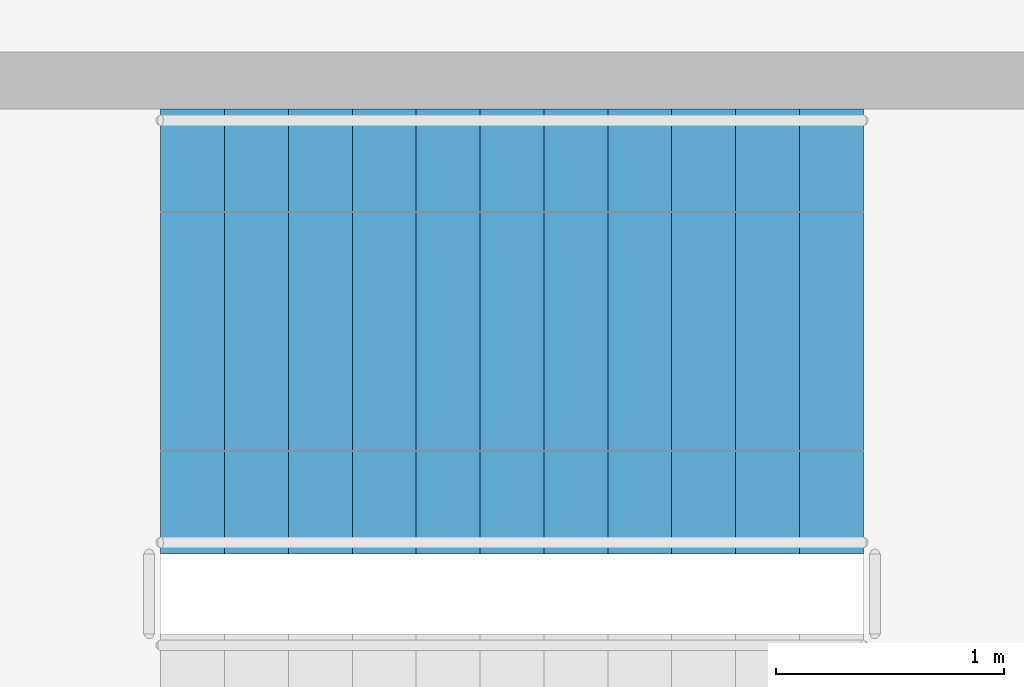
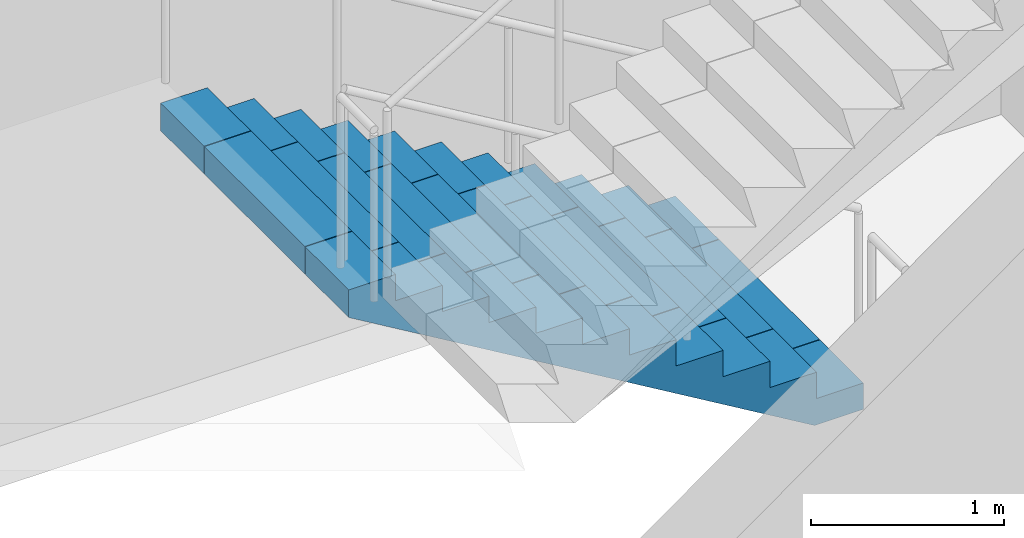
# One storey, part 12 of 13: 1 stair flight, 1 element without a shape of its own.
"""IFC4 building model written with IfcOpenShell, lengths in metres."""

from ifc_helpers import new_model, si_unit, direction, frame, origin, place, context, subcontext, project, spatial, polyline, outline, extrude, material, type_object, element, aggregate, save


model = new_model("IFC4")

# Units and contexts
model_context = context("Model", 3, precision=1e-05, world=origin(), true_north=direction((0.0, 1.0)))
body_context = subcontext(model_context, "Body", "Model", "MODEL_VIEW")
ifc_project = project(units=[si_unit("LENGTHUNIT", "METRE"), si_unit("AREAUNIT", "SQUARE_METRE"), si_unit("VOLUMEUNIT", "CUBIC_METRE"), si_unit("PLANEANGLEUNIT", "RADIAN"), si_unit("MASSUNIT", "GRAM", prefix="KILO")], contexts=[model_context])

# Site, building, storey
site_placement = place(None, origin())
site = spatial("IfcSite", under=ifc_project, at=site_placement, CompositionType="ELEMENT")
building_placement = place(site_placement, origin())
building = spatial("IfcBuilding", under=site, at=building_placement, Name="Corbelhall Arena Tower", CompositionType="ELEMENT")
storey_placement = place(building_placement, frame((0.0, 0.0, 334.0)))
storey = spatial("IfcBuildingStorey", under=building, at=storey_placement, Name="L73", CompositionType="ELEMENT", Elevation=334.0)

# Stair, stair flight
ifc_material = material(Name="Concrete C40/50", Category="concrete")
stair_type = type_object("IfcStairType", Name="IN-ST-TOWER", PredefinedType="HALF_TURN_STAIR", material=ifc_material)
stair_placement = place(storey_placement, origin())
stair = element("IfcStair", 1, at=stair_placement, inside=storey, type_object=stair_type, Name="L73 Exit stair ST3", PredefinedType="HALF_TURN_STAIR")
stair_flight_type = type_object("IfcStairFlightType", Name="IN-SFL-RC", PredefinedType="STRAIGHT", material=ifc_material)
stair_flight_placement = place(storey_placement, frame((11.425048828125, 15.699951171875, 0.0), z_axis=(0.0, 0.0, 1.0), x_axis=(-1.0, 0.0, 0.0)))
stair_flight = element("IfcStairFlight", 2, at=stair_flight_placement, type_object=stair_flight_type, Name="ST3 flight 1", NumberOfRisers=12, NumberOfTreads=11, PredefinedType="STRAIGHT", RiserHeight=0.166666667, TreadLength=0.28, context=body_context, shape_type="SweptSolid", body=[
    extrude(outline(polyline([(0.0, 0.0), (0.0, 0.166748046875), (0.280029296875, 0.166748046875), (0.280029296875, 0.333251953125), (0.56005859375, 0.333251953125), (0.56005859375, 0.5), (0.840087890625, 0.5), (0.840087890625, 0.666748046875), (1.1201171875, 0.666748046875), (1.1201171875, 0.833251953125), (1.39990234375, 0.833251953125), (1.39990234375, 1.0), (1.679931640625, 1.0), (1.679931640625, 1.166748046875), (1.9599609375, 1.166748046875), (1.9599609375, 1.333251953125), (2.239990234375, 1.333251953125), (2.239990234375, 1.5), (2.52001953125, 1.5), (2.52001953125, 1.666748046875), (2.800048828125, 1.666748046875), (2.800048828125, 1.833251953125), (3.080078125, 1.833251953125), (3.080078125, 2.0), (3.080078125, 1.658935546875), (0.29296875, 0.0), (0.0, 0.0)])), frame((0.0, 0.97509765625, 0.0), z_axis=(0.0, -1.0, 0.0), x_axis=(1.0, 0.0, 0.0)), (0.0, 0.0, 1.0), 0.449951171875),
    extrude(outline(polyline([(0.0, 0.0), (0.0, 0.166748046875), (0.280029296875, 0.166748046875), (0.280029296875, 0.333251953125), (0.56005859375, 0.333251953125), (0.56005859375, 0.5), (0.840087890625, 0.5), (0.840087890625, 0.666748046875), (1.1201171875, 0.666748046875), (1.1201171875, 0.833251953125), (1.39990234375, 0.833251953125), (1.39990234375, 1.0), (1.679931640625, 1.0), (1.679931640625, 1.166748046875), (1.9599609375, 1.166748046875), (1.9599609375, 1.333251953125), (2.239990234375, 1.333251953125), (2.239990234375, 1.5), (2.52001953125, 1.5), (2.52001953125, 1.666748046875), (2.800048828125, 1.666748046875), (2.800048828125, 1.833251953125), (3.080078125, 1.833251953125), (3.080078125, 2.0), (3.080078125, 1.658935546875), (0.29296875, 0.0), (0.0, 0.0)])), frame((0.0, 0.52099609375, 0.0), z_axis=(0.0, -1.0, 0.0), x_axis=(1.0, 0.0, 0.0)), (0.0, 0.0, 1.0), 1.0419921875),
    extrude(outline(polyline([(0.0, 0.0), (0.0, 0.166748046875), (0.280029296875, 0.166748046875), (0.280029296875, 0.333251953125), (0.56005859375, 0.333251953125), (0.56005859375, 0.5), (0.840087890625, 0.5), (0.840087890625, 0.666748046875), (1.1201171875, 0.666748046875), (1.1201171875, 0.833251953125), (1.39990234375, 0.833251953125), (1.39990234375, 1.0), (1.679931640625, 1.0), (1.679931640625, 1.166748046875), (1.9599609375, 1.166748046875), (1.9599609375, 1.333251953125), (2.239990234375, 1.333251953125), (2.239990234375, 1.5), (2.52001953125, 1.5), (2.52001953125, 1.666748046875), (2.800048828125, 1.666748046875), (2.800048828125, 1.833251953125), (3.080078125, 1.833251953125), (3.080078125, 2.0), (3.080078125, 1.658935546875), (0.29296875, 0.0), (0.0, 0.0)])), frame((0.0, -0.52490234375, 0.0), z_axis=(0.0, -1.0, 0.0), x_axis=(1.0, 0.0, 0.0)), (0.0, 0.0, 1.0), 0.449951171875),
])
aggregate(stair, [stair_flight])

save(model, "model.ifc")
